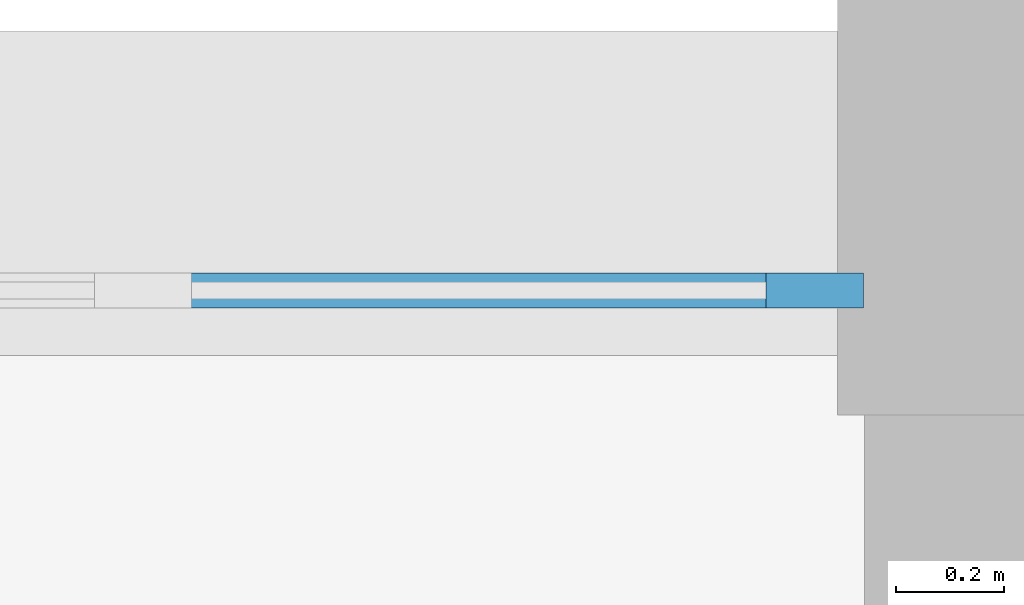
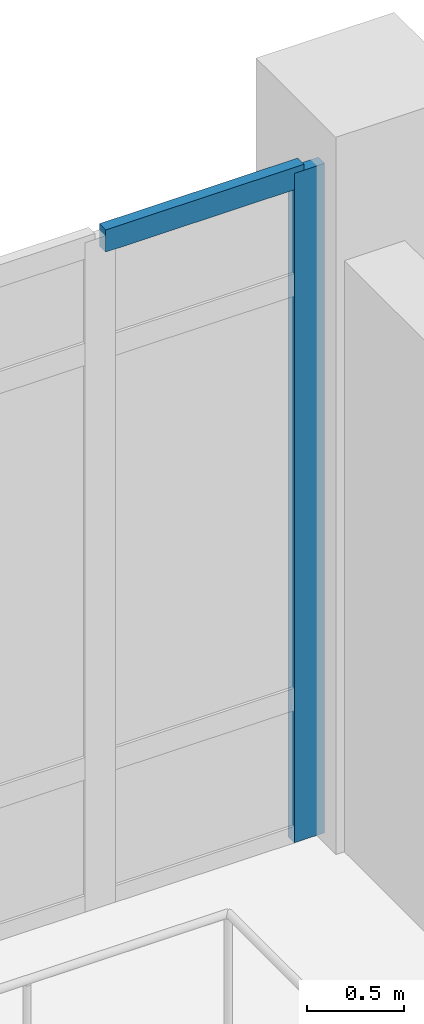
# One storey, part 19 of 54: 2 members, 1 element without a shape of its own.
"""IFC4 building model written with IfcOpenShell, lengths in metres."""

import ifcopenshell
import ifcopenshell.guid

model = None  # the IFC model being written
_history = None  # IfcOwnerHistory: only IFC2X3 demands one
_inside = {}  # id of a spatial element -> (the spatial element, [elements in it])
_under = {}  # id of a project, library or spatial element -> (it, [spatial elements below it])
_declared = {}  # id of a project -> (the project, [libraries it declares])
_typed = {}  # id of a type object -> (the type object, [elements of that type])
_made_of = {}  # id of a material, layer set ... -> (it, [elements and type objects made of it])


def new_model(schema):
    """Start an empty IFC model of exactly this schema.

    Asked for "IFC4X3", IfcOpenShell would pick the latest addendum, in which some entities
    have other attributes; the version numbers below select the first issue.
    IFC2X3 requires an IfcOwnerHistory on every rooted entity: one is made here for all.
    """
    global model, _history
    if schema == "IFC4X3":
        model = ifcopenshell.file(schema_version=(4, 3, 0, 0))
    else:
        model = ifcopenshell.file(schema=schema)
    _inside.clear()
    _under.clear()
    _declared.clear()
    _typed.clear()
    _made_of.clear()
    _history = None
    if model.schema == "IFC2X3":
        org = make("IfcOrganization", Name="unknown")
        user = make(
            "IfcPersonAndOrganization",
            ThePerson=make("IfcPerson", FamilyName="unknown"),
            TheOrganization=org,
        )
        app = make(
            "IfcApplication",
            ApplicationDeveloper=org,
            Version="unknown",
            ApplicationFullName="unknown",
            ApplicationIdentifier="unknown",
        )
        _history = make(
            "IfcOwnerHistory",
            OwningUser=user,
            OwningApplication=app,
            ChangeAction="ADDED",
            CreationDate=0,
        )
    return model


def make(cls, **values):
    """One entity of the class cls with the attributes given. An attribute that is None is left unset."""
    return model.create_entity(
        cls, **{name: value for name, value in values.items() if value is not None}
    )


def rooted(cls, **values):
    """An entity with a GlobalId (a new one), such as an element, a storey or a relation."""
    return make(cls, GlobalId=ifcopenshell.guid.new(), OwnerHistory=_history, **values)


def si_unit(unit_type, name, prefix=None):
    """IfcSIUnit, for example si_unit("LENGTHUNIT", "METRE", prefix="MILLI")."""
    return make("IfcSIUnit", UnitType=unit_type, Prefix=prefix, Name=name)


def assignment(units):
    """IfcUnitAssignment: the units of a project."""
    return None if units is None else make("IfcUnitAssignment", Units=units)


def point(xyz):
    """IfcCartesianPoint."""
    return None if xyz is None else make("IfcCartesianPoint", Coordinates=xyz)


def direction(xyz):
    """IfcDirection."""
    return None if xyz is None else make("IfcDirection", DirectionRatios=xyz)


def frame(location, z_axis=None, x_axis=None):
    """IfcAxis2Placement3D, a coordinate frame: its origin and axes. An axis left out is left unset."""
    return make(
        "IfcAxis2Placement3D",
        Location=point(location),
        Axis=direction(z_axis),
        RefDirection=direction(x_axis),
    )


def frame_2d(location, x_axis=None):
    """IfcAxis2Placement2D, a coordinate frame in the plane: its origin and x axis."""
    return make(
        "IfcAxis2Placement2D", Location=point(location), RefDirection=direction(x_axis)
    )


def origin():
    """The frame at (0, 0, 0) with its axes left unset."""
    return frame((0.0, 0.0, 0.0))


def origin_2d():
    """The frame at (0, 0) in the plane with its x axis left unset."""
    return frame_2d((0.0, 0.0))


def place(relative_to, where):
    """IfcLocalPlacement: puts the frame where relative to a parent placement (None: the world)."""
    return make(
        "IfcLocalPlacement", PlacementRelTo=relative_to, RelativePlacement=where
    )


def context(
    kind, dimensions, precision=None, world=None, true_north=None, identifier=None
):
    """IfcGeometricRepresentationContext, for example the 3D "Model" context."""
    return make(
        "IfcGeometricRepresentationContext",
        ContextIdentifier=identifier,
        ContextType=kind,
        CoordinateSpaceDimension=dimensions,
        Precision=precision,
        WorldCoordinateSystem=world,
        TrueNorth=true_north,
    )


def subcontext(parent, identifier, kind, view, scale=None):
    """IfcGeometricRepresentationSubContext, for example "Body" below "Model"."""
    return make(
        "IfcGeometricRepresentationSubContext",
        ContextIdentifier=identifier,
        ContextType=kind,
        ParentContext=parent,
        TargetScale=scale,
        TargetView=view,
    )


def project(units=None, contexts=None):
    """IfcProject with its units and contexts."""
    return rooted(
        "IfcProject",
        Name="project",
        RepresentationContexts=contexts,
        UnitsInContext=assignment(units),
    )


def spatial(cls, under=None, at=None, **own):
    """A site, building, storey or space (cls), placed at a placement, below another one or the project."""
    s = rooted(cls, ObjectPlacement=at, **own)
    if under is not None:
        _under.setdefault(under.id(), (under, []))[1].append(s)
    return s


def profile(cls, at=None, kind="AREA", **sizes):
    """A parametric profile (cls). Its sizes go by their IFC names, for example OverallWidth=200.0."""
    return make(cls, ProfileType=kind, Position=at, **sizes)


def rectangle(**sizes):
    """IfcRectangleProfileDef."""
    return profile("IfcRectangleProfileDef", **sizes)


def extrude(swept, where, along, depth):
    """IfcExtrudedAreaSolid: the profile swept, set in the frame where, extruded along a direction by depth."""
    return make(
        "IfcExtrudedAreaSolid",
        SweptArea=swept,
        Position=where,
        ExtrudedDirection=direction(along),
        Depth=depth,
    )


def shape(context_of_items, identifier, shape_type, items):
    """IfcShapeRepresentation: the items that make up one representation, for example the "Body"."""
    return make(
        "IfcShapeRepresentation",
        ContextOfItems=context_of_items,
        RepresentationIdentifier=identifier,
        RepresentationType=shape_type,
        Items=items,
    )


def material(Name=None, Category=None):
    """IfcMaterial."""
    return make("IfcMaterial", Name=Name, Category=Category)


def layer(
    of_material, thickness, ventilated=None, Name=None, Category=None, Priority=None
):
    """IfcMaterialLayer: one layer of a wall or slab, of a material (None: an air gap)."""
    return make(
        "IfcMaterialLayer",
        Material=of_material,
        LayerThickness=thickness,
        IsVentilated=ventilated,
        Name=Name,
        Category=Category,
        Priority=Priority,
    )


def layer_set(layers, Name=None):
    """IfcMaterialLayerSet."""
    return make("IfcMaterialLayerSet", MaterialLayers=layers, LayerSetName=Name)


def material_profile(
    of_material, cross_section, Name=None, Category=None, Priority=None
):
    """IfcMaterialProfile: a cross section and its material."""
    return make(
        "IfcMaterialProfile",
        Name=Name,
        Material=of_material,
        Profile=cross_section,
        Priority=Priority,
        Category=Category,
    )


def profile_set(profiles, Name=None, composite=None):
    """IfcMaterialProfileSet."""
    return make(
        "IfcMaterialProfileSet",
        Name=Name,
        MaterialProfiles=profiles,
        CompositeProfile=composite,
    )


def made_of(thing, what):
    """Note that an element or type object is made of a material, layer set ...; save() writes the relation."""
    if what is not None:
        _made_of.setdefault(what.id(), (what, []))[1].append(thing)
    return thing


def type_object(cls, material=None, **own):
    """A type object (cls), such as IfcWallType, which elements share."""
    return made_of(rooted(cls, **own), material)


def element(
    cls,
    number,
    at=None,
    inside=None,
    cuts=None,
    type_object=None,
    material=None,
    context=None,
    identifier="Body",
    shape_type=None,
    held_by="IfcProductDefinitionShape",
    body=None,
    shapes=None,
    **own,
):
    """One element of the class cls, such as IfcWall. Its Tag is "e" and its number.

    at: its placement. inside: the storey or other place that contains it. cuts: it is an
    opening in that element (IfcRelVoidsElement). A single representation is given by context,
    identifier, shape_type and body (its items); several are given by shapes. held_by: the class
    of the entity that holds the representations. save() writes the other relations.
    """
    e = rooted(cls, Tag="e%d" % number, ObjectPlacement=at, **own)
    if body is not None:
        shapes = [shape(context, identifier, shape_type, body)]
    if shapes is not None:
        e.Representation = make(held_by, Representations=shapes)
    if inside is not None:
        _inside.setdefault(inside.id(), (inside, []))[1].append(e)
    if cuts is not None:
        rooted(
            "IfcRelVoidsElement", RelatingBuildingElement=cuts, RelatedOpeningElement=e
        )
    if type_object is not None:
        _typed.setdefault(type_object.id(), (type_object, []))[1].append(e)
    return made_of(e, material)


def aggregate(whole, parts):
    """IfcRelAggregates: a whole, such as a stair, and the parts it consists of."""
    return rooted("IfcRelAggregates", RelatingObject=whole, RelatedObjects=parts)


def save(model, path):
    """Write the relations noted so far, then the file.

    IfcRelAggregates (storeys below a building ...), IfcRelContainedInSpatialStructure (elements
    in a storey), IfcRelDefinesByType, IfcRelAssociatesMaterial and IfcRelDeclares: one each for
    every whole, place, type object, material and project.
    """
    for whole, parts in _under.values():
        aggregate(whole, parts)
    for where, things in _inside.values():
        rooted(
            "IfcRelContainedInSpatialStructure",
            RelatedElements=things,
            RelatingStructure=where,
        )
    for kind, things in _typed.values():
        rooted("IfcRelDefinesByType", RelatedObjects=things, RelatingType=kind)
    for what, things in _made_of.values():
        rooted("IfcRelAssociatesMaterial", RelatedObjects=things, RelatingMaterial=what)
    for by, libraries in _declared.values():
        rooted("IfcRelDeclares", RelatingContext=by, RelatedDefinitions=libraries)
    model.write(path)


model = new_model("IFC4")

# Units and contexts
model_context = context("Model", 3, precision=1e-05, world=origin(), true_north=direction((0.0, 1.0)))
body_context = subcontext(model_context, "Body", "Model", "MODEL_VIEW")
ifc_project = project(units=[si_unit("LENGTHUNIT", "METRE"), si_unit("AREAUNIT", "SQUARE_METRE"), si_unit("VOLUMEUNIT", "CUBIC_METRE"), si_unit("PLANEANGLEUNIT", "RADIAN"), si_unit("MASSUNIT", "GRAM", prefix="KILO")], contexts=[model_context])

# Site, building, storey
site_placement = place(None, origin())
site = spatial("IfcSite", under=ifc_project, at=site_placement, CompositionType="ELEMENT")
building_placement = place(site_placement, origin())
building = spatial("IfcBuilding", under=site, at=building_placement, Name="Kelarvand Opera House", CompositionType="ELEMENT")
storey_placement = place(building_placement, frame((0.0, 0.0, 15.0)))
storey = spatial("IfcBuildingStorey", under=building, at=storey_placement, Name="L03", CompositionType="ELEMENT", Elevation=15.0)

# Curtain wall, members
ifc_material_1 = material(Name="Thermally broken aluminium and low-E glazing", Category="aluminium")
ifc_layer = layer(ifc_material_1, 0.179931640625, Name="Thermally broken aluminium and low-E glazing", Category="aluminium")
ifc_layer_set = layer_set([ifc_layer], Name="Thermally broken aluminium and low-E glazing")
curtain_wall_type = type_object("IfcCurtainWallType", Name="Unitised Low-E Curtain Wall 3776x4200 Mod 1350 CWF-14", PredefinedType="USERDEFINED", material=ifc_layer_set)
curtain_wall_placement = place(storey_placement, origin())
curtain_wall = element("IfcCurtainWall", 1, at=curtain_wall_placement, inside=storey, type_object=curtain_wall_type, Name="V3 L03 Curtain Wall CWF-14 (96)", ObjectType="UNITISED CURTAIN WALL", PredefinedType="USERDEFINED")
ifc_material_2 = material(Name="Thermally broken anodised aluminium", Category="aluminium")
ifc_material_profile_1 = material_profile(ifc_material_2, rectangle(XDim=0.06494140625, YDim=0.179931640625, at=origin_2d()), Name="ALU MULLION 65x180", Category="aluminium")
ifc_profile_set_1 = profile_set([ifc_material_profile_1], Name="Thermally broken anodised aluminium")
member_type_1 = type_object("IfcMemberType", Name="Curtain Wall Mullion 65x180 Aluminium", PredefinedType="MULLION", material=ifc_profile_set_1)
member_1_placement = place(storey_placement, frame((50.547607421875, 124.820068359375, 0.0), z_axis=(0.0, 0.0, 1.0), x_axis=(0.0, 1.0, 0.0)))
member_1 = element("IfcMember", 2, at=member_1_placement, type_object=member_type_1, Name="CWF-14 mullion 4", PredefinedType="MULLION", context=body_context, shape_type="SweptSolid", body=[
    extrude(rectangle(XDim=0.06494140625, YDim=0.179931640625, at=origin_2d()), origin(), (0.0, 0.0, 1.0), 4.199951171875),
])
ifc_material_profile_2 = material_profile(ifc_material_2, rectangle(XDim=0.06494140625, YDim=0.139892578125, at=origin_2d()), Name="ALU TRANSOM 65x140", Category="aluminium")
ifc_profile_set_2 = profile_set([ifc_material_profile_2], Name="Thermally broken anodised aluminium")
member_type_2 = type_object("IfcMemberType", Name="Curtain Wall Transom 65x140 Aluminium", PredefinedType="USERDEFINED", material=ifc_profile_set_2)
member_2_placement = place(storey_placement, frame((49.33837890625, 124.820068359375, 4.16748046875), z_axis=(1.0, 0.0, 0.0), x_axis=(0.0, 1.0, 0.0)))
member_2 = element("IfcMember", 3, at=member_2_placement, type_object=member_type_2, Name="CWF-14 transom 3.4", ObjectType="TRANSOM", PredefinedType="USERDEFINED", context=body_context, shape_type="SweptSolid", body=[
    extrude(rectangle(XDim=0.06494140625, YDim=0.139892578125, at=origin_2d()), origin(), (0.0, 0.0, 1.0), 1.176513671875),
])
aggregate(curtain_wall, [member_1, member_2])

save(model, "model.ifc")
